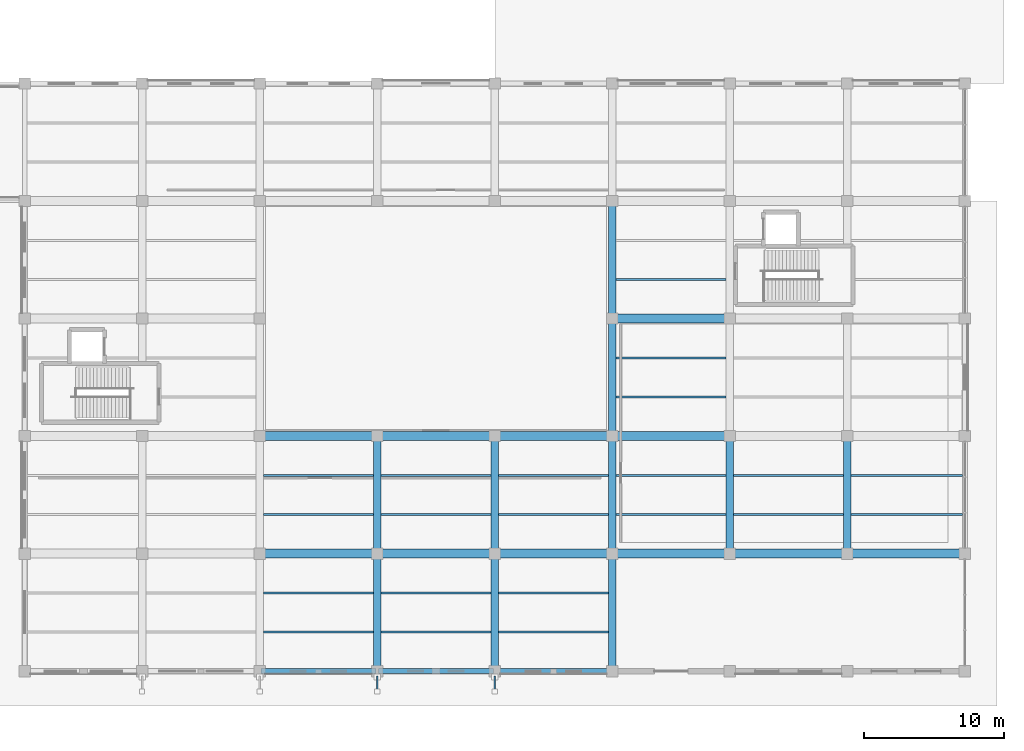
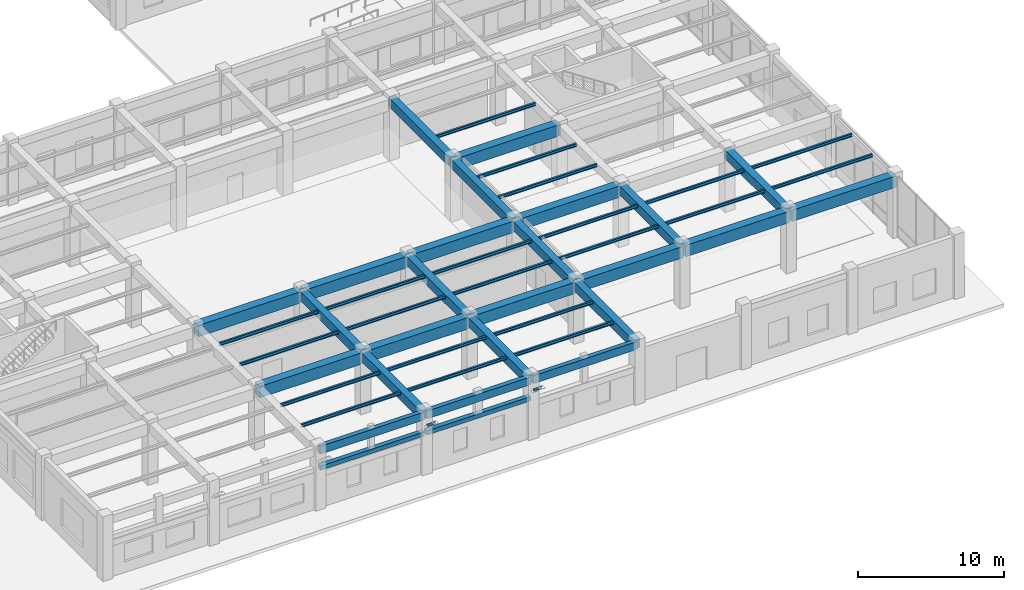
# One storey, part 85 of 157: 47 beams, 2 members.
"""IFC4 building model written with IfcOpenShell, lengths in metres."""

from ifc_helpers import new_model, si_unit, direction, frame, origin, origin_2d, place, context, subcontext, project, spatial, rectangle, hollow_rectangle, i_section, extrude, material, material_profile, profile_set, type_object, element, save


model = new_model("IFC4")

# Units and contexts
model_context = context("Model", 3, precision=1e-05, world=origin(), true_north=direction((0.0, 1.0)))
body_context = subcontext(model_context, "Body", "Model", "MODEL_VIEW")
ifc_project = project(units=[si_unit("LENGTHUNIT", "METRE"), si_unit("AREAUNIT", "SQUARE_METRE"), si_unit("VOLUMEUNIT", "CUBIC_METRE"), si_unit("PLANEANGLEUNIT", "RADIAN"), si_unit("MASSUNIT", "GRAM", prefix="KILO"), si_unit("THERMODYNAMICTEMPERATUREUNIT", "KELVIN"), si_unit("POWERUNIT", "WATT")], contexts=[model_context])

# Site, building, storey
site_placement = place(None, origin())
site = spatial("IfcSite", under=ifc_project, at=site_placement, CompositionType="ELEMENT")
building_placement = place(site_placement, origin())
building = spatial("IfcBuilding", under=site, at=building_placement, Name="Darbajah Civic Hall", CompositionType="ELEMENT")
storey_placement = place(building_placement, origin())
storey = spatial("IfcBuildingStorey", under=building, at=storey_placement, Name="L00", CompositionType="ELEMENT", Elevation=0.0)

# Beams
ifc_material_1 = material(Name="Concrete C45/55", Category="concrete")
ifc_material_profile_1 = material_profile(ifc_material_1, rectangle(XDim=0.550048828125, YDim=0.75, at=origin_2d()), Name="RC BEAM 550x750")
ifc_profile_set_1 = profile_set([ifc_material_profile_1], Name="Concrete C45/55")
beam_type_1 = type_object("IfcBeamType", Name="RC BEAM 550x750", PredefinedType="BEAM", material=ifc_profile_set_1)
for number, where, z_axis, x_axis, name in (
    (1, (136.199951171875, 0.080078125, 4.72509765625), (0.0, 1.0, 0.0), (-1.0, 0.0, 0.0), "L00 beam BM-5575"),
    (2, (136.199951171875, 8.47998046875, 4.72509765625), (0.0, 1.0, 0.0), (-1.0, 0.0, 0.0), "L00 beam BM-5575"),
    (3, (144.60009765625, 0.080078125, 4.72509765625), (0.0, 1.0, 0.0), (-1.0, 0.0, 0.0), "L00 beam BM-5575"),
    (4, (144.60009765625, 8.47998046875, 4.72509765625), (0.0, 1.0, 0.0), (-1.0, 0.0, 0.0), "L00 beam BM-5575"),
    (5, (153.0, 0.080078125, 4.72509765625), (0.0, 1.0, 0.0), (-1.0, 0.0, 0.0), "L00 beam BM-5575"),
    (6, (153.0, 8.47998046875, 4.72509765625), (0.0, 1.0, 0.0), (-1.0, 0.0, 0.0), "L00 beam BM-5575"),
):
    element("IfcBeam", number, at=place(storey_placement, frame(where, z_axis=z_axis, x_axis=x_axis)), inside=storey, type_object=beam_type_1, Name=name, PredefinedType="BEAM", context=body_context, shape_type="SweptSolid", body=[
        extrude(rectangle(XDim=0.550048828125, YDim=0.75, at=origin_2d()), origin(), (0.0, 0.0, 1.0), 8.239990234375),
    ])
beam_1_placement = place(storey_placement, frame((153.0, 16.8798828125, 4.72509765625), z_axis=(0.0, 1.0, 0.0), x_axis=(-1.0, 0.0, 0.0)))
element("IfcBeam", 7, at=beam_1_placement, inside=storey, type_object=beam_type_1, Name="L00 beam BM-5575", PredefinedType="BEAM", context=body_context, shape_type="SweptSolid", body=[
    extrude(rectangle(XDim=0.550048828125, YDim=0.75, at=origin_2d()), origin(), (0.0, 0.0, 1.0), 8.240234375),
])
for number, where, z_axis, x_axis, name in (
    (8, (153.0, 25.280029296875, 4.72509765625), (0.0, 1.0, 0.0), (-1.0, 0.0, 0.0), "L00 beam BM-5575"),
    (9, (161.39990234375, 8.47998046875, 4.72509765625), (0.0, 1.0, 0.0), (-1.0, 0.0, 0.0), "L00 beam BM-5575"),
    (10, (169.800048828125, 8.47998046875, 4.72509765625), (0.0, 1.0, 0.0), (-1.0, 0.0, 0.0), "L00 beam BM-5575"),
):
    element("IfcBeam", number, at=place(storey_placement, frame(where, z_axis=z_axis, x_axis=x_axis)), inside=storey, type_object=beam_type_1, Name=name, PredefinedType="BEAM", context=body_context, shape_type="SweptSolid", body=[
        extrude(rectangle(XDim=0.550048828125, YDim=0.75, at=origin_2d()), origin(), (0.0, 0.0, 1.0), 8.239990234375),
    ])
ifc_material_2 = material(Name="Concrete C50/60", Category="concrete")
ifc_material_profile_2 = material_profile(ifc_material_2, rectangle(XDim=0.64990234375, YDim=0.949951171875, at=origin_2d()), Name="RC GIRDER 650x950")
ifc_profile_set_2 = profile_set([ifc_material_profile_2], Name="Concrete C50/60")
beam_type_2 = type_object("IfcBeamType", Name="RC GIRDER 650x950", PredefinedType="BEAM", material=ifc_profile_set_2)
beam_2_placement = place(storey_placement, frame((127.8798828125, 8.39990234375, 4.625), z_axis=(1.0, 0.0, 0.0), x_axis=(0.0, 1.0, 0.0)))
element("IfcBeam", 11, at=beam_2_placement, inside=storey, type_object=beam_type_2, Name="L00 beam BG-6595", PredefinedType="BEAM", context=body_context, shape_type="SweptSolid", body=[
    extrude(rectangle(XDim=0.64990234375, YDim=0.949951171875, at=origin_2d()), origin(), (0.0, 0.0, 1.0), 8.240234375),
])
for number, where, z_axis, x_axis, name in (
    (12, (136.280029296875, 8.39990234375, 4.625), (1.0, 0.0, 0.0), (0.0, 1.0, 0.0), "L00 beam BG-6595"),
    (13, (144.679931640625, 8.39990234375, 4.625), (1.0, 0.0, 0.0), (0.0, 1.0, 0.0), "L00 beam BG-6595"),
    (14, (153.080078125, 8.39990234375, 4.625), (1.0, 0.0, 0.0), (0.0, 1.0, 0.0), "L00 beam BG-6595"),
    (15, (161.47998046875, 8.39990234375, 4.625), (1.0, 0.0, 0.0), (0.0, 1.0, 0.0), "L00 beam BG-6595"),
):
    element("IfcBeam", number, at=place(storey_placement, frame(where, z_axis=z_axis, x_axis=x_axis)), inside=storey, type_object=beam_type_2, Name=name, PredefinedType="BEAM", context=body_context, shape_type="SweptSolid", body=[
        extrude(rectangle(XDim=0.64990234375, YDim=0.949951171875, at=origin_2d()), origin(), (0.0, 0.0, 1.0), 8.239990234375),
    ])
for number, where, z_axis, x_axis, name in (
    (16, (169.8798828125, 8.39990234375, 4.625), (1.0, 0.0, 0.0), (0.0, 1.0, 0.0), "L00 beam BG-6595"),
    (17, (127.8798828125, 16.800048828125, 4.625), (1.0, 0.0, 0.0), (0.0, 1.0, 0.0), "L00 beam BG-6595"),
):
    element("IfcBeam", number, at=place(storey_placement, frame(where, z_axis=z_axis, x_axis=x_axis)), inside=storey, type_object=beam_type_2, Name=name, PredefinedType="BEAM", context=body_context, shape_type="SweptSolid", body=[
        extrude(rectangle(XDim=0.64990234375, YDim=0.949951171875, at=origin_2d()), origin(), (0.0, 0.0, 1.0), 8.240234375),
    ])
for number, where, z_axis, x_axis, name in (
    (18, (136.280029296875, 16.800048828125, 4.625), (1.0, 0.0, 0.0), (0.0, 1.0, 0.0), "L00 beam BG-6595"),
    (19, (144.679931640625, 16.800048828125, 4.625), (1.0, 0.0, 0.0), (0.0, 1.0, 0.0), "L00 beam BG-6595"),
    (20, (153.080078125, 16.800048828125, 4.625), (1.0, 0.0, 0.0), (0.0, 1.0, 0.0), "L00 beam BG-6595"),
    (21, (153.080078125, 25.199951171875, 4.625), (1.0, 0.0, 0.0), (0.0, 1.0, 0.0), "L00 beam BG-6595"),
):
    element("IfcBeam", number, at=place(storey_placement, frame(where, z_axis=z_axis, x_axis=x_axis)), inside=storey, type_object=beam_type_2, Name=name, PredefinedType="BEAM", context=body_context, shape_type="SweptSolid", body=[
        extrude(rectangle(XDim=0.64990234375, YDim=0.949951171875, at=origin_2d()), origin(), (0.0, 0.0, 1.0), 8.239990234375),
    ])
ifc_material_profile_3 = material_profile(ifc_material_1, rectangle(XDim=0.35009765625, YDim=0.35009765625, at=origin_2d()), Name="RC LINTEL 350x350")
ifc_profile_set_3 = profile_set([ifc_material_profile_3], Name="Concrete C45/55")
beam_type_3 = type_object("IfcBeamType", Name="RC LINTEL 350x350", PredefinedType="LINTEL", material=ifc_profile_set_3)
beam_3_placement = place(storey_placement, frame((127.889892578125, 0.0, 3.27490234375), z_axis=(1.0, 0.0, 0.0), x_axis=(0.0, 1.0, 0.0)))
element("IfcBeam", 22, at=beam_3_placement, inside=storey, type_object=beam_type_3, Name="L00 stone portal lintel LN-3535", PredefinedType="LINTEL", context=body_context, shape_type="SweptSolid", body=[
    extrude(rectangle(XDim=0.35009765625, YDim=0.35009765625, at=origin_2d()), origin(), (0.0, 0.0, 1.0), 8.22021484375),
])
beam_4_placement = place(storey_placement, frame((136.2900390625, 0.0, 3.27490234375), z_axis=(1.0, 0.0, 0.0), x_axis=(0.0, 1.0, 0.0)))
element("IfcBeam", 23, at=beam_4_placement, inside=storey, type_object=beam_type_3, Name="L00 stone portal lintel LN-3535", PredefinedType="LINTEL", context=body_context, shape_type="SweptSolid", body=[
    extrude(rectangle(XDim=0.35009765625, YDim=0.35009765625, at=origin_2d()), origin(), (0.0, 0.0, 1.0), 8.219970703125),
])
ifc_material_profile_4 = material_profile(ifc_material_1, rectangle(XDim=0.35009765625, YDim=0.64990234375, at=origin_2d()), Name="RC SPANDREL 350x650")
ifc_profile_set_4 = profile_set([ifc_material_profile_4], Name="Concrete C45/55")
beam_type_4 = type_object("IfcBeamType", Name="RC SPANDREL 350x650", PredefinedType="SPANDREL", material=ifc_profile_set_4)
beam_5_placement = place(storey_placement, frame((127.8798828125, 0.0, 4.77490234375), z_axis=(1.0, 0.0, 0.0), x_axis=(0.0, 1.0, 0.0)))
element("IfcBeam", 24, at=beam_5_placement, inside=storey, type_object=beam_type_4, Name="L00 beam SP-3565", PredefinedType="SPANDREL", context=body_context, shape_type="SweptSolid", body=[
    extrude(rectangle(XDim=0.35009765625, YDim=0.64990234375, at=origin_2d()), origin(), (0.0, 0.0, 1.0), 8.240234375),
])
for number, where, z_axis, x_axis, name in (
    (25, (136.280029296875, 0.0, 4.77490234375), (1.0, 0.0, 0.0), (0.0, 1.0, 0.0), "L00 beam SP-3565"),
    (26, (144.679931640625, 0.0, 4.77490234375), (1.0, 0.0, 0.0), (0.0, 1.0, 0.0), "L00 beam SP-3565"),
):
    element("IfcBeam", number, at=place(storey_placement, frame(where, z_axis=z_axis, x_axis=x_axis)), inside=storey, type_object=beam_type_4, Name=name, PredefinedType="SPANDREL", context=body_context, shape_type="SweptSolid", body=[
        extrude(rectangle(XDim=0.35009765625, YDim=0.64990234375, at=origin_2d()), origin(), (0.0, 0.0, 1.0), 8.239990234375),
    ])

# Members
ifc_material_3 = material(Name="Steel S355JR", Category="steel")
ifc_material_profile_5 = material_profile(ifc_material_3, hollow_rectangle(XDim=0.10009765625, YDim=0.199951171875, WallThickness=0.008056640625, at=origin_2d()), Name="RHS 200x100x8")
ifc_profile_set_5 = profile_set([ifc_material_profile_5], Name="Steel S355JR")
member_type = type_object("IfcMemberType", Name="RHS 200x100x8", PredefinedType="STRUT", material=ifc_profile_set_5)
for number, where, z_axis, x_axis, name in (
    (27, (136.199951171875, -0.407958984375, 4.10009765625), (0.0, -0.774935227591, 0.632040657742), (1.0, 0.0, 0.0), "L00 chhajja canopy raking strut 7"),
    (28, (144.60009765625, -0.407958984375, 4.10009765625), (0.0, -0.774935227591, 0.632040657742), (1.0, 0.0, 0.0), "L00 chhajja canopy raking strut 8"),
):
    element("IfcMember", number, at=place(storey_placement, frame(where, z_axis=z_axis, x_axis=x_axis)), inside=storey, type_object=member_type, Name=name, PredefinedType="STRUT", context=body_context, shape_type="SweptSolid", body=[
        extrude(hollow_rectangle(XDim=0.10009765625, YDim=0.199951171875, WallThickness=0.008056640625, at=origin_2d()), origin(), (0.0, 0.0, 1.0), 1.3447265625),
    ])

# Beams
ifc_material_profile_6 = material_profile(ifc_material_3, i_section(OverallWidth=0.146484375, OverallDepth=0.256103515625, WebThickness=0.00634765625, FlangeThickness=0.010986328125, FilletRadius=0.007568359375, at=origin_2d()), Name="UB 254x146x37")
ifc_profile_set_6 = profile_set([ifc_material_profile_6], Name="Steel S355JR")
beam_type_5 = type_object("IfcBeamType", Name="UB 254x146x37", PredefinedType="JOIST", material=ifc_profile_set_6)
for number, where, z_axis, x_axis, name in (
    (29, (128.074951171875, 2.800048828125, 4.971923828125), (1.0, 0.0, 0.0), (0.0, 1.0, 0.0), "L00 beam SJ-254"),
    (30, (128.074951171875, 5.60009765625, 4.971923828125), (1.0, 0.0, 0.0), (0.0, 1.0, 0.0), "L00 beam SJ-254"),
    (31, (128.074951171875, 11.199951171875, 4.971923828125), (1.0, 0.0, 0.0), (0.0, 1.0, 0.0), "L00 beam SJ-254"),
    (32, (128.074951171875, 14.0, 4.971923828125), (1.0, 0.0, 0.0), (0.0, 1.0, 0.0), "L00 beam SJ-254"),
):
    element("IfcBeam", number, at=place(storey_placement, frame(where, z_axis=z_axis, x_axis=x_axis)), inside=storey, type_object=beam_type_5, Name=name, PredefinedType="JOIST", context=body_context, shape_type="SweptSolid", body=[
        extrude(i_section(OverallWidth=0.146484375, OverallDepth=0.256103515625, WebThickness=0.00634765625, FlangeThickness=0.010986328125, FilletRadius=0.007568359375, at=origin_2d()), origin(), (0.0, 0.0, 1.0), 7.85009765625),
    ])
for number, where, z_axis, x_axis, name in (
    (33, (136.47509765625, 2.800048828125, 4.971923828125), (1.0, 0.0, 0.0), (0.0, 1.0, 0.0), "L00 beam SJ-254"),
    (34, (136.47509765625, 5.60009765625, 4.971923828125), (1.0, 0.0, 0.0), (0.0, 1.0, 0.0), "L00 beam SJ-254"),
    (35, (136.47509765625, 11.199951171875, 4.971923828125), (1.0, 0.0, 0.0), (0.0, 1.0, 0.0), "L00 beam SJ-254"),
    (36, (136.47509765625, 14.0, 4.971923828125), (1.0, 0.0, 0.0), (0.0, 1.0, 0.0), "L00 beam SJ-254"),
):
    element("IfcBeam", number, at=place(storey_placement, frame(where, z_axis=z_axis, x_axis=x_axis)), inside=storey, type_object=beam_type_5, Name=name, PredefinedType="JOIST", context=body_context, shape_type="SweptSolid", body=[
        extrude(i_section(OverallWidth=0.146484375, OverallDepth=0.256103515625, WebThickness=0.00634765625, FlangeThickness=0.010986328125, FilletRadius=0.007568359375, at=origin_2d()), origin(), (0.0, 0.0, 1.0), 7.849853515625),
    ])
for number, where, z_axis, x_axis, name in (
    (37, (144.875, 2.800048828125, 4.971923828125), (1.0, 0.0, 0.0), (0.0, 1.0, 0.0), "L00 beam SJ-254"),
    (38, (144.875, 5.60009765625, 4.971923828125), (1.0, 0.0, 0.0), (0.0, 1.0, 0.0), "L00 beam SJ-254"),
    (39, (144.875, 11.199951171875, 4.971923828125), (1.0, 0.0, 0.0), (0.0, 1.0, 0.0), "L00 beam SJ-254"),
    (40, (144.875, 14.0, 4.971923828125), (1.0, 0.0, 0.0), (0.0, 1.0, 0.0), "L00 beam SJ-254"),
    (41, (153.27490234375, 11.199951171875, 4.971923828125), (1.0, 0.0, 0.0), (0.0, 1.0, 0.0), "L00 beam SJ-254"),
    (42, (153.27490234375, 14.0, 4.971923828125), (1.0, 0.0, 0.0), (0.0, 1.0, 0.0), "L00 beam SJ-254"),
    (43, (153.27490234375, 19.60009765625, 4.971923828125), (1.0, 0.0, 0.0), (0.0, 1.0, 0.0), "L00 beam SJ-254"),
    (44, (153.27490234375, 22.39990234375, 4.971923828125), (1.0, 0.0, 0.0), (0.0, 1.0, 0.0), "L00 beam SJ-254"),
    (45, (153.27490234375, 28.0, 4.971923828125), (1.0, 0.0, 0.0), (0.0, 1.0, 0.0), "L00 beam SJ-254"),
):
    element("IfcBeam", number, at=place(storey_placement, frame(where, z_axis=z_axis, x_axis=x_axis)), inside=storey, type_object=beam_type_5, Name=name, PredefinedType="JOIST", context=body_context, shape_type="SweptSolid", body=[
        extrude(i_section(OverallWidth=0.146484375, OverallDepth=0.256103515625, WebThickness=0.00634765625, FlangeThickness=0.010986328125, FilletRadius=0.007568359375, at=origin_2d()), origin(), (0.0, 0.0, 1.0), 7.85009765625),
    ])
for number, where, z_axis, x_axis, name in (
    (46, (161.675048828125, 11.199951171875, 4.971923828125), (1.0, 0.0, 0.0), (0.0, 1.0, 0.0), "L00 beam SJ-254"),
    (47, (161.675048828125, 14.0, 4.971923828125), (1.0, 0.0, 0.0), (0.0, 1.0, 0.0), "L00 beam SJ-254"),
):
    element("IfcBeam", number, at=place(storey_placement, frame(where, z_axis=z_axis, x_axis=x_axis)), inside=storey, type_object=beam_type_5, Name=name, PredefinedType="JOIST", context=body_context, shape_type="SweptSolid", body=[
        extrude(i_section(OverallWidth=0.146484375, OverallDepth=0.256103515625, WebThickness=0.00634765625, FlangeThickness=0.010986328125, FilletRadius=0.007568359375, at=origin_2d()), origin(), (0.0, 0.0, 1.0), 7.849853515625),
    ])
for number, where, z_axis, x_axis, name in (
    (48, (170.074951171875, 11.199951171875, 4.971923828125), (1.0, 0.0, 0.0), (0.0, 1.0, 0.0), "L00 beam SJ-254"),
    (49, (170.074951171875, 14.0, 4.971923828125), (1.0, 0.0, 0.0), (0.0, 1.0, 0.0), "L00 beam SJ-254"),
):
    element("IfcBeam", number, at=place(storey_placement, frame(where, z_axis=z_axis, x_axis=x_axis)), inside=storey, type_object=beam_type_5, Name=name, PredefinedType="JOIST", context=body_context, shape_type="SweptSolid", body=[
        extrude(i_section(OverallWidth=0.146484375, OverallDepth=0.256103515625, WebThickness=0.00634765625, FlangeThickness=0.010986328125, FilletRadius=0.007568359375, at=origin_2d()), origin(), (0.0, 0.0, 1.0), 7.949951171875),
    ])

save(model, "model.ifc")
